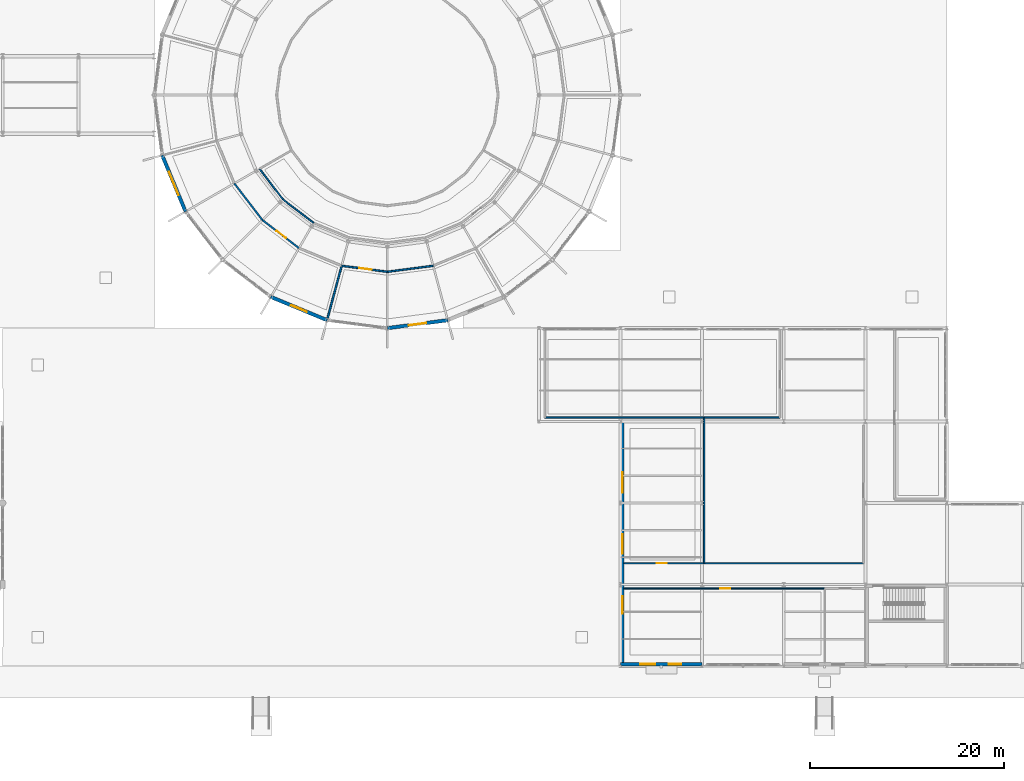
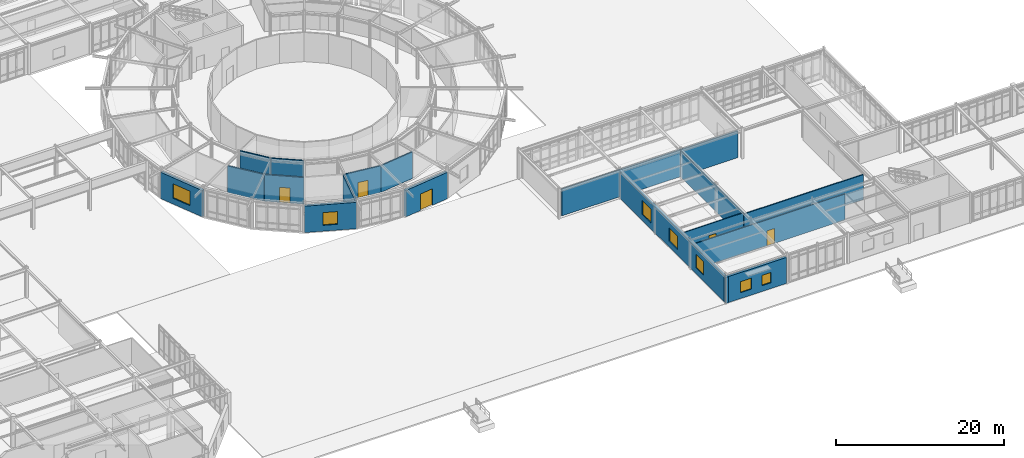
# One storey, part 81 of 101: 17 walls, 7 windows, 5 doors, 12 openings.
"""IFC4 building model written with IfcOpenShell, lengths in metres."""

from ifc_helpers import new_model, si_unit, derived_unit, direction, frame, frame_2d, origin, place, context, subcontext, project, spatial, rectangle, extrude, material, layer, layer_set, type_object, element, fill, save


model = new_model("IFC4")

# Units and contexts
model_context = context("Model", 3, precision=1e-05, world=origin(), true_north=direction((0.0, 1.0)))
body_context = subcontext(model_context, "Body", "Model", "MODEL_VIEW")
ifc_project = project(units=[si_unit("LENGTHUNIT", "METRE"), si_unit("AREAUNIT", "SQUARE_METRE"), si_unit("VOLUMEUNIT", "CUBIC_METRE"), si_unit("PLANEANGLEUNIT", "RADIAN"), si_unit("MASSUNIT", "GRAM", prefix="KILO"), derived_unit("THERMALTRANSMITTANCEUNIT", [(si_unit("POWERUNIT", "WATT"), 1), (si_unit("AREAUNIT", "SQUARE_METRE"), -1), (si_unit("THERMODYNAMICTEMPERATUREUNIT", "KELVIN"), -1)])], contexts=[model_context])

# Site, building, storey
site_placement = place(None, origin())
site = spatial("IfcSite", under=ifc_project, at=site_placement, CompositionType="ELEMENT")
building_placement = place(site_placement, origin())
building = spatial("IfcBuilding", under=site, at=building_placement, Name="Yasenodar Specialist Clinic", CompositionType="ELEMENT")
storey_placement = place(building_placement, origin())
storey = spatial("IfcBuildingStorey", under=building, at=storey_placement, Name="L00", CompositionType="ELEMENT", Elevation=0.0)

# Wall, opening, window
ifc_material_1 = material(Name="Drum Insulated Terracotta Chord Wall", Category="masonry")
ifc_layer_1 = layer(ifc_material_1, 0.364990234375)
ifc_layer_set_1 = layer_set([ifc_layer_1], Name="Drum Insulated Terracotta Chord Wall")
wall_type_1 = type_object("IfcWallType", Name="EW-DRUM-365", PredefinedType="SOLIDWALL", material=ifc_layer_set_1)
wall_1_placement = place(storey_placement, frame((60.21533203125, 46.800048828125, 0.0), z_axis=(0.0, 0.0, 1.0), x_axis=(-0.382663829839, 0.9238876519, 0.0)))
wall_1 = element("IfcWall", 1, at=wall_1_placement, inside=storey, type_object=wall_type_1, Name="L00 Exterior Facade Wall 0005", PredefinedType="SOLIDWALL", context=body_context, shape_type="SweptSolid", body=[
    extrude(rectangle(XDim=6.26513671875, YDim=0.364990234375, at=frame_2d((3.132568359375, 0.0))), origin(), (0.0, 0.0, 1.0), 3.837890625),
])
opening_1_placement = place(wall_1_placement, frame((1.83251953125, 0.0, 0.85009765625)))
opening_1 = element("IfcOpeningElement", 2, at=opening_1_placement, cuts=wall_1, Name="Opening W-14", PredefinedType="OPENING", context=body_context, shape_type="SweptSolid", body=[
    extrude(rectangle(XDim=2.60009765625, YDim=2.10009765625, at=frame_2d((1.300048828125, 1.050048828125))), frame((0.0, 0.1923828125, 0.0), z_axis=(0.0, -1.0, 0.0), x_axis=(1.0, 0.0, 0.0)), (0.0, 0.0, 1.0), 0.385009765625),
])
ifc_material_2 = material(Name="Triple Low-E Argon Glazing in Bronze Aluminium Frame", Category="aluminium")
window_type_1 = type_object("IfcWindowType", Name="WIN-EXT-14", PartitioningType="SINGLE_PANEL", PredefinedType="WINDOW", material=ifc_material_2)
window_1_placement = place(opening_1_placement, origin())
window_1 = element("IfcWindow", 3, at=window_1_placement, inside=storey, type_object=window_type_1, Name="L00 Triple-Glazed Reveal Window 0004", OverallHeight=2.10009765625, OverallWidth=2.60009765625, PartitioningType="SINGLE_PANEL", PredefinedType="WINDOW", context=body_context, shape_type="SweptSolid", body=[
    extrude(rectangle(XDim=2.60009765625, YDim=2.10009765625, at=frame_2d((1.300048828125, 1.050048828125))), frame((0.0, 0.030029296875, 0.0), z_axis=(0.0, -1.0, 0.0), x_axis=(1.0, 0.0, 0.0)), (0.0, 0.0, 1.0), 0.06005859375),
])
fill(opening_1, window_1)

wall_2_placement = place(storey_placement, frame((74.788330078125, 35.617919921875, 0.0), z_axis=(0.0, 0.0, 1.0), x_axis=(-0.9238876519, 0.382663829839, 0.0)))
wall_2 = element("IfcWall", 4, at=wall_2_placement, inside=storey, type_object=wall_type_1, Name="L00 Exterior Facade Wall 0006", PredefinedType="SOLIDWALL", context=body_context, shape_type="SweptSolid", body=[
    extrude(rectangle(XDim=6.26513671875, YDim=0.364990234375, at=frame_2d((3.132568359375, 0.0))), origin(), (0.0, 0.0, 1.0), 3.837890625),
])
opening_2_placement = place(wall_2_placement, frame((2.257568359375, 0.0, 0.85009765625)))
opening_2 = element("IfcOpeningElement", 5, at=opening_2_placement, cuts=wall_2, Name="Opening W-23", PredefinedType="OPENING", context=body_context, shape_type="SweptSolid", body=[
    extrude(rectangle(XDim=1.75, YDim=1.85009765625, at=frame_2d((0.875, 0.925048828125))), frame((0.0, 0.1923828125, 0.0), z_axis=(0.0, -1.0, 0.0), x_axis=(1.0, 0.0, 0.0)), (0.0, 0.0, 1.0), 0.385009765625),
])
window_type_2 = type_object("IfcWindowType", Name="WIN-EXT-23", PartitioningType="SINGLE_PANEL", PredefinedType="WINDOW", material=ifc_material_2)
window_2_placement = place(opening_2_placement, origin())
window_2 = element("IfcWindow", 6, at=window_2_placement, inside=storey, type_object=window_type_2, Name="L00 Triple-Glazed Reveal Window 0005", OverallHeight=1.85009765625, OverallWidth=1.75, PartitioningType="SINGLE_PANEL", PredefinedType="WINDOW", context=body_context, shape_type="SweptSolid", body=[
    extrude(rectangle(XDim=1.75, YDim=1.85009765625, at=frame_2d((0.875, 0.925048828125))), frame((0.0, 0.030029296875, 0.0), z_axis=(0.0, -1.0, 0.0), x_axis=(1.0, 0.0, 0.0)), (0.0, 0.0, 1.0), 0.06005859375),
])
fill(opening_2, window_2)

# Wall, opening, door
wall_3_placement = place(storey_placement, frame((87.211669921875, 35.617919921875, 0.0), z_axis=(0.0, 0.0, 1.0), x_axis=(-0.991443018138, -0.130540192224, 0.0)))
wall_3 = element("IfcWall", 7, at=wall_3_placement, inside=storey, type_object=wall_type_1, Name="L00 Exterior Facade Wall 0007", PredefinedType="SOLIDWALL", context=body_context, shape_type="SweptSolid", body=[
    extrude(rectangle(XDim=6.265380859375, YDim=0.364990234375, at=frame_2d((3.1328125, 0.0))), origin(), (0.0, 0.0, 1.0), 3.837890625),
])
opening_3_placement = place(wall_3_placement, frame((2.232666015625, 0.0, 0.0)))
opening_3 = element("IfcOpeningElement", 8, at=opening_3_placement, cuts=wall_3, Name="Opening EX-03", PredefinedType="OPENING", context=body_context, shape_type="SweptSolid", body=[
    extrude(rectangle(XDim=1.800048828125, YDim=2.39990234375, at=frame_2d((0.89990234375, 1.199951171875))), frame((0.0, 0.1923828125, 0.0), z_axis=(0.0, -1.0, 0.0), x_axis=(1.0, 0.0, 0.0)), (0.0, 0.0, 1.0), 0.385009765625),
])
ifc_material_3 = material(Name="Thermally Broken Bronze Anodized Aluminium and Laminated Glass", Category="aluminium")
door_type_1 = type_object("IfcDoorType", Name="DR-EX-180", OperationType="DOUBLE_DOOR_SINGLE_SWING", PredefinedType="DOOR", material=ifc_material_3)
door_1_placement = place(opening_3_placement, origin())
door_1 = element("IfcDoor", 9, at=door_1_placement, inside=storey, type_object=door_type_1, Name="L00 Drum South Healing Garden Main Exit EX-10", OperationType="DOUBLE_DOOR_SINGLE_SWING", OverallHeight=2.39990234375, OverallWidth=1.800048828125, PredefinedType="DOOR", context=body_context, shape_type="SweptSolid", body=[
    extrude(rectangle(XDim=1.800048828125, YDim=2.39990234375, at=frame_2d((0.89990234375, 1.199951171875))), frame((0.0, 0.02490234375, 0.0), z_axis=(0.0, -1.0, 0.0), x_axis=(1.0, 0.0, 0.0)), (0.0, 0.0, 1.0), 0.050048828125),
])
fill(opening_3, door_1)

# Wall, openings, windows
ifc_material_4 = material(Name="Fluted Terracotta Spandrel Wall", Category="masonry")
ifc_layer_2 = layer(ifc_material_4, 0.31494140625)
ifc_layer_set_2 = layer_set([ifc_layer_2], Name="Fluted Terracotta Spandrel Wall")
wall_type_2 = type_object("IfcWallType", Name="EW-TERR-315", PredefinedType="SOLIDWALL", material=ifc_layer_set_2)
wall_4_placement = place(storey_placement, frame((105.199951171875, 0.0, 0.0), z_axis=(0.0, 0.0, 1.0), x_axis=(0.0, 1.0, 0.0)))
wall_4 = element("IfcWall", 10, at=wall_4_placement, inside=storey, type_object=wall_type_2, Name="L00 Exterior Facade Wall 0076", PredefinedType="SOLIDWALL", context=body_context, shape_type="SweptSolid", body=[
    extrude(rectangle(XDim=25.199951171875, YDim=0.31494140625, at=frame_2d((12.60009765625, 0.0))), origin(), (0.0, 0.0, 1.0), 3.778076171875),
])
opening_4_placement = place(wall_4_placement, frame((5.39990234375, 0.0, 0.85009765625)))
opening_4 = element("IfcOpeningElement", 11, at=opening_4_placement, cuts=wall_4, Name="Opening W-05", PredefinedType="OPENING", context=body_context, shape_type="SweptSolid", body=[
    extrude(rectangle(XDim=1.800048828125, YDim=1.949951171875, at=frame_2d((0.89990234375, 0.97509765625))), frame((0.0, 0.16748046875, 0.0), z_axis=(0.0, -1.0, 0.0), x_axis=(1.0, 0.0, 0.0)), (0.0, 0.0, 1.0), 0.3349609375),
])
opening_5_placement = place(wall_4_placement, frame((11.60009765625, 0.0, 0.85009765625)))
opening_5 = element("IfcOpeningElement", 12, at=opening_5_placement, cuts=wall_4, Name="Opening W-06", PredefinedType="OPENING", context=body_context, shape_type="SweptSolid", body=[
    extrude(rectangle(XDim=2.0, YDim=1.949951171875, at=frame_2d((1.0, 0.97509765625))), frame((0.0, 0.16748046875, 0.0), z_axis=(0.0, -1.0, 0.0), x_axis=(1.0, 0.0, 0.0)), (0.0, 0.0, 1.0), 0.3349609375),
])
opening_6_placement = place(wall_4_placement, frame((17.85009765625, 0.0, 0.85009765625)))
opening_6 = element("IfcOpeningElement", 13, at=opening_6_placement, cuts=wall_4, Name="Opening W-07", PredefinedType="OPENING", context=body_context, shape_type="SweptSolid", body=[
    extrude(rectangle(XDim=2.10009765625, YDim=2.0, at=frame_2d((1.050048828125, 1.0))), frame((0.0, 0.16748046875, 0.0), z_axis=(0.0, -1.0, 0.0), x_axis=(1.0, 0.0, 0.0)), (0.0, 0.0, 1.0), 0.3349609375),
])
window_type_3 = type_object("IfcWindowType", Name="WIN-EXT-05", PartitioningType="SINGLE_PANEL", PredefinedType="WINDOW", material=ifc_material_2)
window_3_placement = place(opening_4_placement, origin())
window_3 = element("IfcWindow", 14, at=window_3_placement, inside=storey, type_object=window_type_3, Name="L00 Triple-Glazed Reveal Window 0057", OverallHeight=1.949951171875, OverallWidth=1.800048828125, PartitioningType="SINGLE_PANEL", PredefinedType="WINDOW", context=body_context, shape_type="SweptSolid", body=[
    extrude(rectangle(XDim=1.800048828125, YDim=1.949951171875, at=frame_2d((0.89990234375, 0.97509765625))), frame((0.0, 0.030029296875, 0.0), z_axis=(0.0, -1.0, 0.0), x_axis=(1.0, 0.0, 0.0)), (0.0, 0.0, 1.0), 0.06005859375),
])
fill(opening_4, window_3)
window_type_4 = type_object("IfcWindowType", Name="WIN-EXT-06", PartitioningType="SINGLE_PANEL", PredefinedType="WINDOW", material=ifc_material_2)
window_4_placement = place(opening_5_placement, origin())
window_4 = element("IfcWindow", 15, at=window_4_placement, inside=storey, type_object=window_type_4, Name="L00 Triple-Glazed Reveal Window 0058", OverallHeight=1.949951171875, OverallWidth=2.0, PartitioningType="SINGLE_PANEL", PredefinedType="WINDOW", context=body_context, shape_type="SweptSolid", body=[
    extrude(rectangle(XDim=2.0, YDim=1.949951171875, at=frame_2d((1.0, 0.97509765625))), frame((0.0, 0.030029296875, 0.0), z_axis=(0.0, -1.0, 0.0), x_axis=(1.0, 0.0, 0.0)), (0.0, 0.0, 1.0), 0.06005859375),
])
fill(opening_5, window_4)
window_type_5 = type_object("IfcWindowType", Name="WIN-EXT-07", PartitioningType="SINGLE_PANEL", PredefinedType="WINDOW", material=ifc_material_2)
window_5_placement = place(opening_6_placement, origin())
window_5 = element("IfcWindow", 16, at=window_5_placement, inside=storey, type_object=window_type_5, Name="L00 Triple-Glazed Reveal Window 0059", OverallHeight=2.0, OverallWidth=2.10009765625, PartitioningType="SINGLE_PANEL", PredefinedType="WINDOW", context=body_context, shape_type="SweptSolid", body=[
    extrude(rectangle(XDim=2.10009765625, YDim=2.0, at=frame_2d((1.050048828125, 1.0))), frame((0.0, 0.030029296875, 0.0), z_axis=(0.0, -1.0, 0.0), x_axis=(1.0, 0.0, 0.0)), (0.0, 0.0, 1.0), 0.06005859375),
])
fill(opening_6, window_5)

ifc_material_5 = material(Name="Buff Architectural Terracotta Rainscreen", Category="masonry")
ifc_layer_3 = layer(ifc_material_5, 0.340087890625)
ifc_layer_set_3 = layer_set([ifc_layer_3], Name="Buff Architectural Terracotta Rainscreen")
wall_type_3 = type_object("IfcWallType", Name="EW-TERR-340", PredefinedType="SOLIDWALL", material=ifc_layer_set_3)
wall_5_placement = place(storey_placement, frame((113.39990234375, 0.199951171875, 0.0), z_axis=(0.0, 0.0, 1.0), x_axis=(-1.0, 0.0, 0.0)))
wall_5 = element("IfcWall", 17, at=wall_5_placement, inside=storey, type_object=wall_type_3, Name="L00 Exterior Facade Wall 0074", PredefinedType="SOLIDWALL", context=body_context, shape_type="SweptSolid", body=[
    extrude(rectangle(XDim=8.39990234375, YDim=0.340087890625, at=frame_2d((4.199951171875, 0.0))), origin(), (0.0, 0.0, 1.0), 3.778076171875),
])
opening_7_placement = place(wall_5_placement, frame((2.175048828125, 0.0, 0.85009765625)))
opening_7 = element("IfcOpeningElement", 18, at=opening_7_placement, cuts=wall_5, Name="Opening W-15", PredefinedType="OPENING", context=body_context, shape_type="SweptSolid", body=[
    extrude(rectangle(XDim=1.25, YDim=1.5, at=frame_2d((0.625, 0.75))), frame((0.0, 0.18017578125, 0.0), z_axis=(0.0, -1.0, 0.0), x_axis=(1.0, 0.0, 0.0)), (0.0, 0.0, 1.0), 0.360107421875),
])
opening_8_placement = place(wall_5_placement, frame((4.824951171875, 0.0, 0.85009765625)))
opening_8 = element("IfcOpeningElement", 19, at=opening_8_placement, cuts=wall_5, Name="Opening W-16", PredefinedType="OPENING", context=body_context, shape_type="SweptSolid", body=[
    extrude(rectangle(XDim=1.550048828125, YDim=1.60009765625, at=frame_2d((0.77490234375, 0.800048828125))), frame((0.0, 0.18017578125, 0.0), z_axis=(0.0, -1.0, 0.0), x_axis=(1.0, 0.0, 0.0)), (0.0, 0.0, 1.0), 0.360107421875),
])
window_type_6 = type_object("IfcWindowType", Name="WIN-EXT-15", PartitioningType="SINGLE_PANEL", PredefinedType="WINDOW", material=ifc_material_2)
window_6_placement = place(opening_7_placement, origin())
window_6 = element("IfcWindow", 20, at=window_6_placement, inside=storey, type_object=window_type_6, Name="L00 Triple-Glazed Reveal Window 0055", OverallHeight=1.5, OverallWidth=1.25, PartitioningType="SINGLE_PANEL", PredefinedType="WINDOW", context=body_context, shape_type="SweptSolid", body=[
    extrude(rectangle(XDim=1.25, YDim=1.5, at=frame_2d((0.625, 0.75))), frame((0.0, 0.030029296875, 0.0), z_axis=(0.0, -1.0, 0.0), x_axis=(1.0, 0.0, 0.0)), (0.0, 0.0, 1.0), 0.06005859375),
])
fill(opening_7, window_6)
window_type_7 = type_object("IfcWindowType", Name="WIN-EXT-16", PartitioningType="SINGLE_PANEL", PredefinedType="WINDOW", material=ifc_material_2)
window_7_placement = place(opening_8_placement, origin())
window_7 = element("IfcWindow", 21, at=window_7_placement, inside=storey, type_object=window_type_7, Name="L00 Triple-Glazed Reveal Window 0056", OverallHeight=1.60009765625, OverallWidth=1.550048828125, PartitioningType="SINGLE_PANEL", PredefinedType="WINDOW", context=body_context, shape_type="SweptSolid", body=[
    extrude(rectangle(XDim=1.550048828125, YDim=1.60009765625, at=frame_2d((0.77490234375, 0.800048828125))), frame((0.0, 0.030029296875, 0.0), z_axis=(0.0, -1.0, 0.0), x_axis=(1.0, 0.0, 0.0)), (0.0, 0.0, 1.0), 0.06005859375),
])
fill(opening_8, window_7)

# Walls
ifc_material_6 = material(Name="Outpatient Examination Partition")
ifc_layer_4 = layer(ifc_material_6, 0.14990234375)
ifc_layer_set_4 = layer_set([ifc_layer_4], Name="Outpatient Examination Partition")
wall_type_4 = type_object("IfcWallType", Name="IW-CONS-150", PredefinedType="PARTITIONING", material=ifc_layer_set_4)
for number, where, z_axis, x_axis, name in (
    (22, (73.39990234375, 45.636474609375, 0.0), (0.0, 0.0, 1.0), (-0.79335079014, 0.608764752416, 0.0), "L00 Patient Nutrition and Counseling Room Partition"),
    (23, (70.251953125, 48.052001953125, 0.0), (0.0, 0.0, 1.0), (-0.608764752416, 0.79335079014, 0.0), "L00 Patient Nutrition and Counseling Room Partition"),
):
    element("IfcWall", number, at=place(storey_placement, frame(where, z_axis=z_axis, x_axis=x_axis)), inside=storey, type_object=wall_type_4, Name=name, PredefinedType="PARTITIONING", context=body_context, shape_type="SweptSolid", body=[
        extrude(rectangle(XDim=3.968017578125, YDim=0.14990234375, at=frame_2d((1.98388671875, 0.0))), origin(), (0.0, 0.0, 1.0), 4.22998046875),
    ])
wall_6_placement = place(storey_placement, frame((113.60009765625, 10.60009765625, 0.0), z_axis=(0.0, 0.0, 1.0), x_axis=(1.0, 0.0, 0.0)))
element("IfcWall", 24, at=wall_6_placement, inside=storey, type_object=wall_type_4, Name="L00 Hydrotherapy Rehabilitation Pool Hall Partition", PredefinedType="PARTITIONING", context=body_context, shape_type="SweptSolid", body=[
    extrude(rectangle(XDim=16.39990234375, YDim=0.14990234375, at=frame_2d((8.199951171875, 0.0))), origin(), (0.0, 0.0, 1.0), 3.6279296875),
])
wall_7_placement = place(storey_placement, frame((113.60009765625, 25.5400390625, 0.0), z_axis=(0.0, 0.0, 1.0), x_axis=(0.0, -1.0, 0.0)))
element("IfcWall", 25, at=wall_7_placement, inside=storey, type_object=wall_type_4, Name="L00 Hydrotherapy Rehabilitation Pool Hall Partition", PredefinedType="PARTITIONING", context=body_context, shape_type="SweptSolid", body=[
    extrude(rectangle(XDim=14.93994140625, YDim=0.14990234375, at=frame_2d((7.469970703125, 0.0))), origin(), (0.0, 0.0, 1.0), 3.7880859375),
])
ifc_material_7 = material(Name="Acoustic Double-Gypsum Consulting Partition")
ifc_layer_5 = layer(ifc_material_7, 0.159912109375)
ifc_layer_set_5 = layer_set([ifc_layer_5], Name="Acoustic Double-Gypsum Consulting Partition")
wall_type_5 = type_object("IfcWallType", Name="IW-CONS-160", PredefinedType="PARTITIONING", material=ifc_layer_set_5)
wall_8_placement = place(storey_placement, frame((121.39990234375, 25.60009765625, 0.0), z_axis=(0.0, 0.0, 1.0), x_axis=(-1.0, 0.0, 0.0)))
element("IfcWall", 26, at=wall_8_placement, inside=storey, type_object=wall_type_5, Name="L00 Charbagh Conservatory Concourse Partition", PredefinedType="PARTITIONING", context=body_context, shape_type="SweptSolid", body=[
    extrude(rectangle(XDim=24.199951171875, YDim=0.159912109375, at=frame_2d((12.10009765625, 0.0))), origin(), (0.0, 0.0, 1.0), 3.927978515625),
])

# Wall, opening, door
ifc_material_8 = material(Name="Cleanroom Laboratory Partition")
ifc_layer_6 = layer(ifc_material_8, 0.169921875)
ifc_layer_set_6 = layer_set([ifc_layer_6], Name="Cleanroom Laboratory Partition")
wall_type_6 = type_object("IfcWallType", Name="IW-LAB-170", PredefinedType="PARTITIONING", material=ifc_layer_set_6)
wall_9_placement = place(storey_placement, frame((76.3095703125, 41.217529296875, 0.0), z_axis=(0.0, 0.0, 1.0), x_axis=(0.991446916709, -0.130510579448, 0.0)))
wall_9 = element("IfcWall", 27, at=wall_9_placement, inside=storey, type_object=wall_type_6, Name="L00 Infusion Nurse Preparation Station Partition", PredefinedType="PARTITIONING", context=body_context, shape_type="SweptSolid", body=[
    extrude(rectangle(XDim=4.73095703125, YDim=0.169921875, at=frame_2d((2.365478515625, 0.0))), origin(), (0.0, 0.0, 1.0), 3.867919921875),
])
opening_9_placement = place(wall_9_placement, frame((1.8154296875, 0.0, 0.0)))
opening_9 = element("IfcOpeningElement", 28, at=opening_9_placement, cuts=wall_9, Name="Opening D-08", PredefinedType="OPENING", context=body_context, shape_type="SweptSolid", body=[
    extrude(rectangle(XDim=1.280029296875, YDim=2.219970703125, at=frame_2d((0.64013671875, 1.10986328125))), frame((0.0, 0.094970703125, 0.0), z_axis=(0.0, -1.0, 0.0), x_axis=(1.0, 0.0, 0.0)), (0.0, 0.0, 1.0), 0.18994140625),
])
ifc_material_9 = material(Name="Powder-Coated Steel and Acoustic Laminate Leaf", Category="steel")
door_type_2 = type_object("IfcDoorType", Name="DR-CLN-128", OperationType="NOTDEFINED", PredefinedType="DOOR", material=ifc_material_9)
door_2_placement = place(opening_9_placement, origin())
door_2 = element("IfcDoor", 29, at=door_2_placement, inside=storey, type_object=door_type_2, Name="L00 Infusion Nurse Preparation Station Door", OperationType="SINGLE_SWING_RIGHT", OverallHeight=2.219970703125, OverallWidth=1.280029296875, PredefinedType="DOOR", context=body_context, shape_type="SweptSolid", body=[
    extrude(rectangle(XDim=1.280029296875, YDim=2.219970703125, at=frame_2d((0.64013671875, 1.10986328125))), frame((0.0, 0.02490234375, 0.0), z_axis=(0.0, -1.0, 0.0), x_axis=(1.0, 0.0, 0.0)), (0.0, 0.0, 1.0), 0.050048828125),
])
fill(opening_9, door_2)

# Wall
wall_10_placement = place(storey_placement, frame((81.0, 40.60009765625, 0.0), z_axis=(0.0, 0.0, 1.0), x_axis=(0.991445548214, 0.130520975042, 0.0)))
element("IfcWall", 30, at=wall_10_placement, inside=storey, type_object=wall_type_6, Name="L00 Infusion Nurse Preparation Station Partition", PredefinedType="PARTITIONING", context=body_context, shape_type="SweptSolid", body=[
    extrude(rectangle(XDim=4.7509765625, YDim=0.169921875, at=frame_2d((2.37548828125, 0.0))), origin(), (0.0, 0.0, 1.0), 3.867919921875),
])

# Wall, opening, door
ifc_material_10 = material(Name="Lightweight Counseling Partition")
ifc_layer_7 = layer(ifc_material_10, 0.114990234375)
ifc_layer_set_7 = layer_set([ifc_layer_7], Name="Lightweight Counseling Partition")
wall_type_7 = type_object("IfcWallType", Name="IW-PART-115", PredefinedType="PARTITIONING", material=ifc_layer_set_7)
wall_11_placement = place(storey_placement, frame((105.33740234375, 8.0, 0.0), z_axis=(0.0, 0.0, 1.0), x_axis=(1.0, 0.0, 0.0)))
wall_11 = element("IfcWall", 31, at=wall_11_placement, inside=storey, type_object=wall_type_7, Name="L00 Physiotherapy Kinesiotherapy Gym Partition", PredefinedType="PARTITIONING", context=body_context, shape_type="SweptSolid", body=[
    extrude(rectangle(XDim=20.66259765625, YDim=0.114990234375, at=frame_2d((10.331298828125, 0.0))), origin(), (0.0, 0.0, 1.0), 3.778076171875),
])
opening_10_placement = place(wall_11_placement, frame((9.91259765625, 0.0, 0.0)))
opening_10 = element("IfcOpeningElement", 32, at=opening_10_placement, cuts=wall_11, Name="Opening D-04", PredefinedType="OPENING", context=body_context, shape_type="SweptSolid", body=[
    extrude(rectangle(XDim=1.06005859375, YDim=2.159912109375, at=frame_2d((0.530029296875, 1.080078125))), frame((0.0, 0.0673828125, 0.0), z_axis=(0.0, -1.0, 0.0), x_axis=(1.0, 0.0, 0.0)), (0.0, 0.0, 1.0), 0.135009765625),
])
door_type_3 = type_object("IfcDoorType", Name="DR-CLN-106", OperationType="NOTDEFINED", PredefinedType="DOOR", material=ifc_material_9)
door_3_placement = place(opening_10_placement, origin())
door_3 = element("IfcDoor", 33, at=door_3_placement, inside=storey, type_object=door_type_3, Name="L00 Physiotherapy Kinesiotherapy Gym Door", OperationType="SINGLE_SWING_LEFT", OverallHeight=2.159912109375, OverallWidth=1.06005859375, PredefinedType="DOOR", context=body_context, shape_type="SweptSolid", body=[
    extrude(rectangle(XDim=1.06005859375, YDim=2.159912109375, at=frame_2d((0.530029296875, 1.080078125))), frame((0.0, 0.02490234375, 0.0), z_axis=(0.0, -1.0, 0.0), x_axis=(1.0, 0.0, 0.0)), (0.0, 0.0, 1.0), 0.050048828125),
])
fill(opening_10, door_3)

ifc_material_11 = material(Name="Clinical Sub-Division Partition")
ifc_layer_8 = layer(ifc_material_11, 0.125)
ifc_layer_set_8 = layer_set([ifc_layer_8], Name="Clinical Sub-Division Partition")
wall_type_8 = type_object("IfcWallType", Name="IW-PART-125", PredefinedType="PARTITIONING", material=ifc_layer_set_8)
wall_12_placement = place(storey_placement, frame((105.33740234375, 10.60009765625, 0.0), z_axis=(0.0, 0.0, 1.0), x_axis=(1.0, 0.0, 0.0)))
wall_12 = element("IfcWall", 34, at=wall_12_placement, inside=storey, type_object=wall_type_8, Name="L00 Aquatic Therapy Accessible Changing Suite Partition", PredefinedType="PARTITIONING", context=body_context, shape_type="SweptSolid", body=[
    extrude(rectangle(XDim=8.20751953125, YDim=0.125, at=frame_2d((4.103759765625, 0.0))), origin(), (0.0, 0.0, 1.0), 3.827880859375),
])
opening_11_placement = place(wall_12_placement, frame((3.41259765625, 0.0, 0.0)))
opening_11 = element("IfcOpeningElement", 35, at=opening_11_placement, cuts=wall_12, Name="Opening D-03", PredefinedType="OPENING", context=body_context, shape_type="SweptSolid", body=[
    extrude(rectangle(XDim=1.02001953125, YDim=2.14990234375, at=frame_2d((0.510009765625, 1.074951171875))), frame((0.0, 0.072509765625, 0.0), z_axis=(0.0, -1.0, 0.0), x_axis=(1.0, 0.0, 0.0)), (0.0, 0.0, 1.0), 0.14501953125),
])
door_type_4 = type_object("IfcDoorType", Name="DR-CLN-102", OperationType="NOTDEFINED", PredefinedType="DOOR", material=ifc_material_9)
door_4_placement = place(opening_11_placement, origin())
door_4 = element("IfcDoor", 36, at=door_4_placement, inside=storey, type_object=door_type_4, Name="L00 Aquatic Therapy Accessible Changing Suite Door", OperationType="SINGLE_SWING_RIGHT", OverallHeight=2.14990234375, OverallWidth=1.02001953125, PredefinedType="DOOR", context=body_context, shape_type="SweptSolid", body=[
    extrude(rectangle(XDim=1.02001953125, YDim=2.14990234375, at=frame_2d((0.510009765625, 1.074951171875))), frame((0.0, 0.02490234375, 0.0), z_axis=(0.0, -1.0, 0.0), x_axis=(1.0, 0.0, 0.0)), (0.0, 0.0, 1.0), 0.050048828125),
])
fill(opening_11, door_4)

ifc_material_12 = material(Name="Hygienic Double-Stud Clinical Partition")
ifc_layer_9 = layer(ifc_material_12, 0.179931640625)
ifc_layer_set_9 = layer_set([ifc_layer_9], Name="Hygienic Double-Stud Clinical Partition")
wall_type_9 = type_object("IfcWallType", Name="IW-PROC-180", PredefinedType="PARTITIONING", material=ifc_layer_set_9)
wall_13_placement = place(storey_placement, frame((68.130615234375, 45.9306640625, 0.0), z_axis=(0.0, 0.0, 1.0), x_axis=(0.793347417989, -0.608769147025, 0.0)))
wall_13 = element("IfcWall", 37, at=wall_13_placement, inside=storey, type_object=wall_type_9, Name="L00 Dialysis Treatment Suite B Partition", PredefinedType="PARTITIONING", context=body_context, shape_type="SweptSolid", body=[
    extrude(rectangle(XDim=4.751220703125, YDim=0.179931640625, at=frame_2d((2.37548828125, 0.0))), origin(), (0.0, 0.0, 1.0), 3.867919921875),
])
opening_12_placement = place(wall_13_placement, frame((1.82568359375, 0.0, 0.0)))
opening_12 = element("IfcOpeningElement", 38, at=opening_12_placement, cuts=wall_13, Name="Opening D-07", PredefinedType="OPENING", context=body_context, shape_type="SweptSolid", body=[
    extrude(rectangle(XDim=1.239990234375, YDim=2.199951171875, at=frame_2d((0.6201171875, 1.10009765625))), frame((0.0, 0.10009765625, 0.0), z_axis=(0.0, -1.0, 0.0), x_axis=(1.0, 0.0, 0.0)), (0.0, 0.0, 1.0), 0.199951171875),
])
door_type_5 = type_object("IfcDoorType", Name="DR-CLN-124", OperationType="NOTDEFINED", PredefinedType="DOOR", material=ifc_material_9)
door_5_placement = place(opening_12_placement, origin())
door_5 = element("IfcDoor", 39, at=door_5_placement, inside=storey, type_object=door_type_5, Name="L00 Dialysis Treatment Suite B Door", OperationType="SINGLE_SWING_LEFT", OverallHeight=2.199951171875, OverallWidth=1.239990234375, PredefinedType="DOOR", context=body_context, shape_type="SweptSolid", body=[
    extrude(rectangle(XDim=1.239990234375, YDim=2.199951171875, at=frame_2d((0.6201171875, 1.10009765625))), frame((0.0, 0.02490234375, 0.0), z_axis=(0.0, -1.0, 0.0), x_axis=(1.0, 0.0, 0.0)), (0.0, 0.0, 1.0), 0.050048828125),
])
fill(opening_12, door_5)

# Walls
wall_14_placement = place(storey_placement, frame((65.23828125, 49.699951171875, 0.0), z_axis=(0.0, 0.0, 1.0), x_axis=(0.608769147025, -0.793347417989, 0.0)))
element("IfcWall", 40, at=wall_14_placement, inside=storey, type_object=wall_type_9, Name="L00 Dialysis Treatment Suite B Partition", PredefinedType="PARTITIONING", context=body_context, shape_type="SweptSolid", body=[
    extrude(rectangle(XDim=4.751220703125, YDim=0.179931640625, at=frame_2d((2.37548828125, 0.0))), origin(), (0.0, 0.0, 1.0), 3.867919921875),
])
wall_15_placement = place(storey_placement, frame((76.28955078125, 41.22021484375, 0.0), z_axis=(0.0, 0.0, 1.0), x_axis=(-0.258829913508, -0.965922914043, 0.0)))
element("IfcWall", 41, at=wall_15_placement, inside=storey, type_object=wall_type_9, Name="L00 Dialysis Treatment Suite B Partition", PredefinedType="PARTITIONING", context=body_context, shape_type="SweptSolid", body=[
    extrude(rectangle(XDim=5.635986328125, YDim=0.179931640625, at=frame_2d((2.81787109375, 0.0))), origin(), (0.0, 0.0, 1.0), 3.837890625),
])

save(model, "model.ifc")
